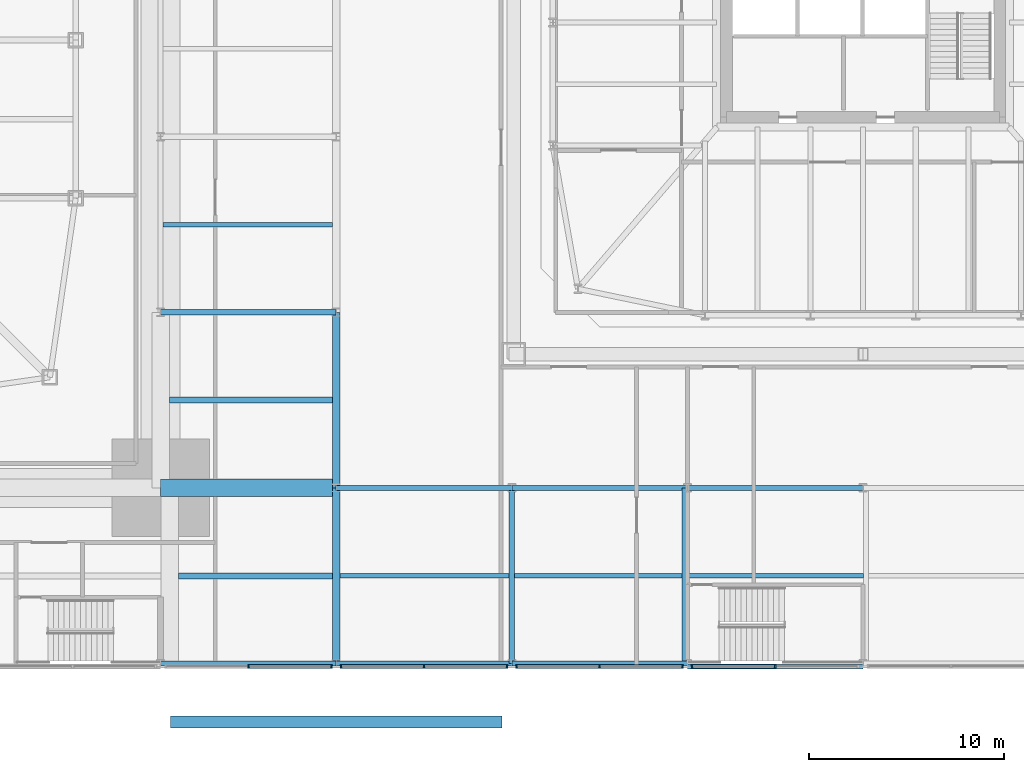
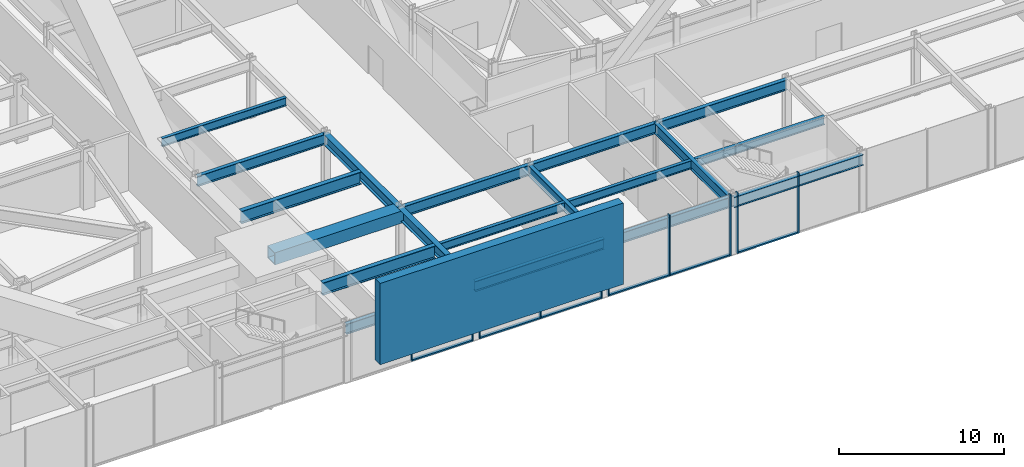
# One storey, part 10 of 32: 20 beams, 16 members, 4 elements without a shape of their own.
"""IFC4 building model written with IfcOpenShell, lengths in metres."""

from ifc_helpers import new_model, si_unit, direction, frame, origin, origin_2d, place, context, subcontext, project, spatial, rectangle, hollow_rectangle, i_section, extrude, material, material_profile, profile_set, type_object, element, aggregate, save


model = new_model("IFC4")

# Units and contexts
model_context = context("Model", 3, precision=1e-05, world=origin(), true_north=direction((0.0, 1.0)))
body_context = subcontext(model_context, "Body", "Model", "MODEL_VIEW")
ifc_project = project(units=[si_unit("LENGTHUNIT", "METRE"), si_unit("AREAUNIT", "SQUARE_METRE"), si_unit("VOLUMEUNIT", "CUBIC_METRE"), si_unit("PLANEANGLEUNIT", "RADIAN"), si_unit("MASSUNIT", "GRAM", prefix="KILO")], contexts=[model_context])

# Site, building, storey
site_placement = place(None, origin())
site = spatial("IfcSite", under=ifc_project, at=site_placement, CompositionType="ELEMENT")
building_placement = place(site_placement, origin())
building = spatial("IfcBuilding", under=site, at=building_placement, Name="Iwan Alto Co-Living Towers", CompositionType="ELEMENT")
storey_placement = place(building_placement, frame((0.0, 0.0, 6.0)))
storey = spatial("IfcBuildingStorey", under=building, at=storey_placement, Name="L01", CompositionType="ELEMENT", Elevation=6.0)

# Curtain wall, members
ifc_material_1 = material(Name="Bronze aluminium stick frame", Category="aluminium")
curtain_wall_type = type_object("IfcCurtainWallType", Name="CURTAIN WALL CW-E", PredefinedType="NOTDEFINED", material=ifc_material_1)
curtain_wall_1_placement = place(storey_placement, origin())
curtain_wall_1 = element("IfcCurtainWall", 1, at=curtain_wall_1_placement, inside=storey, type_object=curtain_wall_type, Name="Podium curtain wall S L01", PredefinedType="NOTDEFINED")
ifc_material_2 = material(Name="Aluminium 6063-T6 bronze anodised", Category="aluminium")
ifc_material_profile_1 = material_profile(ifc_material_2, rectangle(XDim=0.199951171875, YDim=0.080078125, at=origin_2d()), Name="AL 80X200")
ifc_profile_set_1 = profile_set([ifc_material_profile_1], Name="Aluminium 6063-T6 bronze anodised")
member_type_1 = type_object("IfcMemberType", Name="CW-E MULLION 80X200", PredefinedType="MULLION", material=ifc_profile_set_1)
member_1_placement = place(storey_placement, frame((31.5, -36.14990234375, 0.0), z_axis=(0.0, 0.0, 1.0), x_axis=(0.0, 1.0, 0.0)))
member_1 = element("IfcMember", 2, at=member_1_placement, type_object=member_type_1, Name="CW-E mullion 2", PredefinedType="MULLION", context=body_context, shape_type="SweptSolid", body=[
    extrude(rectangle(XDim=0.199951171875, YDim=0.080078125, at=origin_2d()), origin(), (0.0, 0.0, 1.0), 4.5),
])
member_2_placement = place(storey_placement, frame((35.754150390625, -36.14990234375, 0.0), z_axis=(0.0, 0.0, 1.0), x_axis=(0.0, 1.0, 0.0)))
member_2 = element("IfcMember", 3, at=member_2_placement, type_object=member_type_1, Name="CW-E mullion 3", PredefinedType="MULLION", context=body_context, shape_type="SweptSolid", body=[
    extrude(rectangle(XDim=0.199951171875, YDim=0.080078125, at=origin_2d()), origin(), (0.0, 0.0, 1.0), 4.5),
])

curtain_wall_2_placement = place(storey_placement, origin())
curtain_wall_2 = element("IfcCurtainWall", 4, at=curtain_wall_2_placement, inside=storey, type_object=curtain_wall_type, Name="Podium curtain wall S L01", PredefinedType="NOTDEFINED")
member_3_placement = place(storey_placement, frame((36.245849609375, -36.14990234375, 0.0), z_axis=(0.0, 0.0, 1.0), x_axis=(0.0, 1.0, 0.0)))
member_3 = element("IfcMember", 5, at=member_3_placement, type_object=member_type_1, Name="CW-E mullion 1", PredefinedType="MULLION", context=body_context, shape_type="SweptSolid", body=[
    extrude(rectangle(XDim=0.199951171875, YDim=0.080078125, at=origin_2d()), origin(), (0.0, 0.0, 1.0), 4.5),
])
member_4_placement = place(storey_placement, frame((40.5, -36.14990234375, 0.0), z_axis=(0.0, 0.0, 1.0), x_axis=(0.0, 1.0, 0.0)))
member_4 = element("IfcMember", 6, at=member_4_placement, type_object=member_type_1, Name="CW-E mullion 2", PredefinedType="MULLION", context=body_context, shape_type="SweptSolid", body=[
    extrude(rectangle(XDim=0.199951171875, YDim=0.080078125, at=origin_2d()), origin(), (0.0, 0.0, 1.0), 4.5),
])
member_5_placement = place(storey_placement, frame((44.754150390625, -36.14990234375, 0.0), z_axis=(0.0, 0.0, 1.0), x_axis=(0.0, 1.0, 0.0)))
member_5 = element("IfcMember", 7, at=member_5_placement, type_object=member_type_1, Name="CW-E mullion 3", PredefinedType="MULLION", context=body_context, shape_type="SweptSolid", body=[
    extrude(rectangle(XDim=0.199951171875, YDim=0.080078125, at=origin_2d()), origin(), (0.0, 0.0, 1.0), 4.5),
])

curtain_wall_3_placement = place(storey_placement, origin())
curtain_wall_3 = element("IfcCurtainWall", 8, at=curtain_wall_3_placement, inside=storey, type_object=curtain_wall_type, Name="Podium curtain wall S L01", PredefinedType="NOTDEFINED")
member_6_placement = place(storey_placement, frame((45.245849609375, -36.14990234375, 0.0), z_axis=(0.0, 0.0, 1.0), x_axis=(0.0, 1.0, 0.0)))
member_6 = element("IfcMember", 9, at=member_6_placement, type_object=member_type_1, Name="CW-E mullion 1", PredefinedType="MULLION", context=body_context, shape_type="SweptSolid", body=[
    extrude(rectangle(XDim=0.199951171875, YDim=0.080078125, at=origin_2d()), origin(), (0.0, 0.0, 1.0), 4.5),
])
member_7_placement = place(storey_placement, frame((49.5, -36.14990234375, 0.0), z_axis=(0.0, 0.0, 1.0), x_axis=(0.0, 1.0, 0.0)))
member_7 = element("IfcMember", 10, at=member_7_placement, type_object=member_type_1, Name="CW-E mullion 2", PredefinedType="MULLION", context=body_context, shape_type="SweptSolid", body=[
    extrude(rectangle(XDim=0.199951171875, YDim=0.080078125, at=origin_2d()), origin(), (0.0, 0.0, 1.0), 4.5),
])
member_8_placement = place(storey_placement, frame((53.754150390625, -36.14990234375, 0.0), z_axis=(0.0, 0.0, 1.0), x_axis=(0.0, 1.0, 0.0)))
member_8 = element("IfcMember", 11, at=member_8_placement, type_object=member_type_1, Name="CW-E mullion 3", PredefinedType="MULLION", context=body_context, shape_type="SweptSolid", body=[
    extrude(rectangle(XDim=0.199951171875, YDim=0.080078125, at=origin_2d()), origin(), (0.0, 0.0, 1.0), 4.5),
])

curtain_wall_4_placement = place(storey_placement, origin())
curtain_wall_4 = element("IfcCurtainWall", 12, at=curtain_wall_4_placement, inside=storey, type_object=curtain_wall_type, Name="Podium curtain wall S L01", PredefinedType="NOTDEFINED")
member_9_placement = place(storey_placement, frame((54.245849609375, -36.14990234375, 0.0), z_axis=(0.0, 0.0, 1.0), x_axis=(0.0, 1.0, 0.0)))
member_9 = element("IfcMember", 13, at=member_9_placement, type_object=member_type_1, Name="CW-E mullion 1", PredefinedType="MULLION", context=body_context, shape_type="SweptSolid", body=[
    extrude(rectangle(XDim=0.199951171875, YDim=0.080078125, at=origin_2d()), origin(), (0.0, 0.0, 1.0), 4.5),
])
member_10_placement = place(storey_placement, frame((58.5, -36.14990234375, 0.0), z_axis=(0.0, 0.0, 1.0), x_axis=(0.0, 1.0, 0.0)))
member_10 = element("IfcMember", 14, at=member_10_placement, type_object=member_type_1, Name="CW-E mullion 2", PredefinedType="MULLION", context=body_context, shape_type="SweptSolid", body=[
    extrude(rectangle(XDim=0.199951171875, YDim=0.080078125, at=origin_2d()), origin(), (0.0, 0.0, 1.0), 4.5),
])

# Member
ifc_material_3 = material(Name="Aluminium 6063-T6 bronze anodised", Category="aluminium")
ifc_material_profile_2 = material_profile(ifc_material_3, rectangle(XDim=0.199951171875, YDim=0.10009765625, at=origin_2d()), Name="AL 200X100")
ifc_profile_set_2 = profile_set([ifc_material_profile_2], Name="Aluminium 6063-T6 bronze anodised")
member_type_2 = type_object("IfcMemberType", Name="CW-E TRANSOM 200X100", PredefinedType="USERDEFINED", material=ifc_profile_set_2)
member_11_placement = place(storey_placement, frame((31.5400390625, -36.14990234375, 0.050048828125), z_axis=(1.0, 0.0, 0.0), x_axis=(0.0, 1.0, 0.0)))
member_11 = element("IfcMember", 15, at=member_11_placement, type_object=member_type_2, Name="CW-E transom 2.1", ObjectType="TRANSOM", PredefinedType="USERDEFINED", context=body_context, shape_type="SweptSolid", body=[
    extrude(rectangle(XDim=0.199951171875, YDim=0.10009765625, at=origin_2d()), origin(), (0.0, 0.0, 1.0), 4.17431640625),
])

aggregate(curtain_wall_1, [member_1, member_2, member_11])

member_12_placement = place(storey_placement, frame((36.28564453125, -36.14990234375, 0.050048828125), z_axis=(1.0, 0.0, 0.0), x_axis=(0.0, 1.0, 0.0)))
member_12 = element("IfcMember", 16, at=member_12_placement, type_object=member_type_2, Name="CW-E transom 1.1", ObjectType="TRANSOM", PredefinedType="USERDEFINED", context=body_context, shape_type="SweptSolid", body=[
    extrude(rectangle(XDim=0.199951171875, YDim=0.10009765625, at=origin_2d()), origin(), (0.0, 0.0, 1.0), 4.17431640625),
])

member_13_placement = place(storey_placement, frame((40.5400390625, -36.14990234375, 0.050048828125), z_axis=(1.0, 0.0, 0.0), x_axis=(0.0, 1.0, 0.0)))
member_13 = element("IfcMember", 17, at=member_13_placement, type_object=member_type_2, Name="CW-E transom 2.1", ObjectType="TRANSOM", PredefinedType="USERDEFINED", context=body_context, shape_type="SweptSolid", body=[
    extrude(rectangle(XDim=0.199951171875, YDim=0.10009765625, at=origin_2d()), origin(), (0.0, 0.0, 1.0), 4.17431640625),
])

aggregate(curtain_wall_2, [member_3, member_4, member_5, member_12, member_13])

member_14_placement = place(storey_placement, frame((45.28564453125, -36.14990234375, 0.050048828125), z_axis=(1.0, 0.0, 0.0), x_axis=(0.0, 1.0, 0.0)))
member_14 = element("IfcMember", 18, at=member_14_placement, type_object=member_type_2, Name="CW-E transom 1.1", ObjectType="TRANSOM", PredefinedType="USERDEFINED", context=body_context, shape_type="SweptSolid", body=[
    extrude(rectangle(XDim=0.199951171875, YDim=0.10009765625, at=origin_2d()), origin(), (0.0, 0.0, 1.0), 4.17431640625),
])

member_15_placement = place(storey_placement, frame((49.5400390625, -36.14990234375, 0.050048828125), z_axis=(1.0, 0.0, 0.0), x_axis=(0.0, 1.0, 0.0)))
member_15 = element("IfcMember", 19, at=member_15_placement, type_object=member_type_2, Name="CW-E transom 2.1", ObjectType="TRANSOM", PredefinedType="USERDEFINED", context=body_context, shape_type="SweptSolid", body=[
    extrude(rectangle(XDim=0.199951171875, YDim=0.10009765625, at=origin_2d()), origin(), (0.0, 0.0, 1.0), 4.17431640625),
])

aggregate(curtain_wall_3, [member_6, member_7, member_8, member_14, member_15])

member_16_placement = place(storey_placement, frame((54.28564453125, -36.14990234375, 0.050048828125), z_axis=(1.0, 0.0, 0.0), x_axis=(0.0, 1.0, 0.0)))
member_16 = element("IfcMember", 20, at=member_16_placement, type_object=member_type_2, Name="CW-E transom 1.1", ObjectType="TRANSOM", PredefinedType="USERDEFINED", context=body_context, shape_type="SweptSolid", body=[
    extrude(rectangle(XDim=0.199951171875, YDim=0.10009765625, at=origin_2d()), origin(), (0.0, 0.0, 1.0), 4.17431640625),
])

aggregate(curtain_wall_4, [member_9, member_10, member_16])

# Beams
ifc_material_4 = material(Name="Concrete f'c 35 MPa", Category="concrete")
ifc_material_profile_3 = material_profile(ifc_material_4, rectangle(XDim=0.60009765625, YDim=6.0, at=origin_2d()), Name="RC 600X6000")
ifc_material_5 = material(Name="Glazed fired clay brick facing", Category="masonry")
ifc_material_profile_4 = material_profile(ifc_material_5, rectangle(XDim=0.60009765625, YDim=6.0, at=origin_2d()), Name="Glazed brick facing", Category="Finish")
ifc_profile_set_3 = profile_set([ifc_material_profile_3, ifc_material_profile_4], Name="Concrete f'c 35 MPa")
beam_type_1 = type_object("IfcBeamType", Name="IWAN PORTAL HEAD BEAM 600X6000", PredefinedType="BEAM", material=ifc_profile_set_3)
beam_1_placement = place(storey_placement, frame((27.505615234375, -39.0, 6.0), z_axis=(1.0, 0.0, 0.0), x_axis=(0.0, 1.0, 0.0)))
element("IfcBeam", 21, at=beam_1_placement, inside=storey, type_object=beam_type_1, Name="Iwan portal head S", PredefinedType="BEAM", context=body_context, shape_type="SweptSolid", body=[
    extrude(rectangle(XDim=0.60009765625, YDim=6.0, at=origin_2d()), origin(), (0.0, 0.0, 1.0), 16.98876953125),
])
ifc_material_6 = material(Name="Steel ASTM A992 Gr 50", Category="steel")
ifc_material_profile_5 = material_profile(ifc_material_6, i_section(OverallWidth=0.2666015625, OverallDepth=0.76953125, WebThickness=0.015625, FlangeThickness=0.025390625, at=origin_2d()), Name="W30X132")
ifc_profile_set_4 = profile_set([ifc_material_profile_5], Name="Steel ASTM A992 Gr 50")
beam_type_2 = type_object("IfcBeamType", Name="PODIUM BEAM W30X132", PredefinedType="BEAM", material=ifc_profile_set_4)
for number, where, z_axis, x_axis, name in (
    (22, (27.0, -36.0, 3.865234375), (1.0, 0.0, 0.0), (0.0, 1.0, 0.0), "Podium beam 8/A-9/A L02"),
    (23, (27.0, -18.0, 3.865234375), (1.0, 0.0, 0.0), (0.0, 1.0, 0.0), "Podium beam 8/C-9/C L02"),
    (24, (36.0, -36.0, 3.865234375), (1.0, 0.0, 0.0), (0.0, 1.0, 0.0), "Podium beam 9/A-10/A L02"),
    (25, (36.0, -27.0, 3.865234375), (1.0, 0.0, 0.0), (0.0, 1.0, 0.0), "Podium beam 9/B-10/B L02"),
    (26, (45.0, -36.0, 3.865234375), (1.0, 0.0, 0.0), (0.0, 1.0, 0.0), "Podium beam 10/A-11/A L02"),
    (27, (45.0, -36.0, 3.865234375), (0.0, 1.0, 0.0), (-1.0, 0.0, 0.0), "Podium beam 10/A-10/B L02"),
    (28, (45.0, -27.0, 3.865234375), (1.0, 0.0, 0.0), (0.0, 1.0, 0.0), "Podium beam 10/B-11/B L02"),
    (29, (54.0, -36.1533203125, 3.865234375), (1.0, 0.0, 0.0), (0.0, 1.0, 0.0), "Podium beam 11/A-12/A L02"),
    (30, (53.8466796875, -36.0, 3.865234375), (0.0, 1.0, 0.0), (-1.0, 0.0, 0.0), "Podium beam 11/A-11/B L02"),
    (31, (54.0, -27.0, 3.865234375), (1.0, 0.0, 0.0), (0.0, 1.0, 0.0), "Podium beam 11/B-12/B L02"),
):
    element("IfcBeam", number, at=place(storey_placement, frame(where, z_axis=z_axis, x_axis=x_axis)), inside=storey, type_object=beam_type_2, Name=name, PredefinedType="BEAM", context=body_context, shape_type="SweptSolid", body=[
        extrude(i_section(OverallWidth=0.2666015625, OverallDepth=0.76953125, WebThickness=0.015625, FlangeThickness=0.025390625, at=origin_2d()), origin(), (0.0, 0.0, 1.0), 9.0),
    ])
ifc_material_7 = material(Name="Steel ASTM A992 Gr 50", Category="steel")
ifc_material_profile_6 = material_profile(ifc_material_7, i_section(OverallWidth=0.381103515625, OverallDepth=0.772216796875, WebThickness=0.0166015625, FlangeThickness=0.027099609375, at=origin_2d()), Name="W30X173")
ifc_profile_set_5 = profile_set([ifc_material_profile_6], Name="Steel ASTM A992 Gr 50")
beam_type_3 = type_object("IfcBeamType", Name="PODIUM JOINT BEAM W30X173", PredefinedType="BEAM", material=ifc_profile_set_5)
for number, where, z_axis, x_axis, name in (
    (32, (36.0, -36.0, 3.864013671875), (0.0, 1.0, 0.0), (-1.0, 0.0, 0.0), "Podium beam 9/A-9/B L02"),
    (33, (36.0, -27.0, 3.864013671875), (0.0, 1.0, 0.0), (-1.0, 0.0, 0.0), "Podium beam 9/B-9/C L02"),
):
    element("IfcBeam", number, at=place(storey_placement, frame(where, z_axis=z_axis, x_axis=x_axis)), inside=storey, type_object=beam_type_3, Name=name, PredefinedType="BEAM", context=body_context, shape_type="SweptSolid", body=[
        extrude(i_section(OverallWidth=0.381103515625, OverallDepth=0.772216796875, WebThickness=0.0166015625, FlangeThickness=0.027099609375, at=origin_2d()), origin(), (0.0, 0.0, 1.0), 9.0),
    ])
ifc_material_8 = material(Name="Steel ASTM A992 Gr 50", Category="steel")
ifc_material_profile_7 = material_profile(ifc_material_8, i_section(OverallWidth=0.307373046875, OverallDepth=0.927001953125, WebThickness=0.01953125, FlangeThickness=0.031982421875, at=origin_2d()), Name="W36X194")
ifc_profile_set_6 = profile_set([ifc_material_profile_7], Name="Steel ASTM A992 Gr 50")
beam_type_4 = type_object("IfcBeamType", Name="PODIUM PIER BAY SECONDARY BEAM W36X194", PredefinedType="JOIST", material=ifc_profile_set_6)
beam_2_placement = place(storey_placement, frame((27.919921875, -31.5, 3.786376953125), z_axis=(1.0, 0.0, 0.0), x_axis=(0.0, 1.0, 0.0)))
element("IfcBeam", 34, at=beam_2_placement, inside=storey, type_object=beam_type_4, Name="Podium secondary beam 8/A L02", PredefinedType="JOIST", context=body_context, shape_type="SweptSolid", body=[
    extrude(i_section(OverallWidth=0.307373046875, OverallDepth=0.927001953125, WebThickness=0.01953125, FlangeThickness=0.031982421875, at=origin_2d()), origin(), (0.0, 0.0, 1.0), 7.8896484375),
])
beam_3_placement = place(storey_placement, frame((27.449951171875, -22.5, 3.786376953125), z_axis=(1.0, 0.0, 0.0), x_axis=(0.0, 1.0, 0.0)))
element("IfcBeam", 35, at=beam_3_placement, inside=storey, type_object=beam_type_4, Name="Podium secondary beam 8/B L02", PredefinedType="JOIST", context=body_context, shape_type="SweptSolid", body=[
    extrude(i_section(OverallWidth=0.307373046875, OverallDepth=0.927001953125, WebThickness=0.01953125, FlangeThickness=0.031982421875, at=origin_2d()), origin(), (0.0, 0.0, 1.0), 8.359619140625),
])
ifc_material_9 = material(Name="Steel ASTM A572 Gr 50", Category="steel")
ifc_material_profile_8 = material_profile(ifc_material_9, hollow_rectangle(XDim=0.89990234375, YDim=0.89990234375, WallThickness=0.06005859375, at=origin_2d()), Name="BOX 900X900X60")
ifc_profile_set_7 = profile_set([ifc_material_profile_8], Name="Steel ASTM A572 Gr 50")
beam_type_5 = type_object("IfcBeamType", Name="PODIUM PIER BEAM BOX 900X900X60", PredefinedType="BEAM", material=ifc_profile_set_7)
beam_4_placement = place(storey_placement, frame((27.0, -27.0, 3.800048828125), z_axis=(1.0, 0.0, 0.0), x_axis=(0.0, 1.0, 0.0)))
element("IfcBeam", 36, at=beam_4_placement, inside=storey, type_object=beam_type_5, Name="Podium beam 8/B-9/B L02", PredefinedType="BEAM", context=body_context, shape_type="SweptSolid", body=[
    extrude(hollow_rectangle(XDim=0.89990234375, YDim=0.89990234375, WallThickness=0.06005859375, at=origin_2d()), origin(), (0.0, 0.0, 1.0), 9.0),
])
ifc_material_10 = material(Name="Steel ASTM A992 Gr 50", Category="steel")
ifc_material_profile_9 = material_profile(ifc_material_10, i_section(OverallWidth=0.23046875, OverallDepth=0.6171875, WebThickness=0.01318359375, FlangeThickness=0.022216796875, at=origin_2d()), Name="W24X94")
ifc_profile_set_8 = profile_set([ifc_material_profile_9], Name="Steel ASTM A992 Gr 50")
beam_type_6 = type_object("IfcBeamType", Name="PODIUM SECONDARY BEAM W24X94", PredefinedType="JOIST", material=ifc_profile_set_8)
for number, where, z_axis, x_axis, name in (
    (37, (27.13330078125, -13.5, 3.94140625), (1.0, 0.0, 0.0), (0.0, 1.0, 0.0), "Podium secondary beam 8/C L02"),
    (38, (36.1904296875, -31.5, 3.94140625), (1.0, 0.0, 0.0), (0.0, 1.0, 0.0), "Podium secondary beam 9/A L02"),
):
    element("IfcBeam", number, at=place(storey_placement, frame(where, z_axis=z_axis, x_axis=x_axis)), inside=storey, type_object=beam_type_6, Name=name, PredefinedType="JOIST", context=body_context, shape_type="SweptSolid", body=[
        extrude(i_section(OverallWidth=0.23046875, OverallDepth=0.6171875, WebThickness=0.01318359375, FlangeThickness=0.022216796875, at=origin_2d()), origin(), (0.0, 0.0, 1.0), 8.67626953125),
    ])
beam_5_placement = place(storey_placement, frame((45.13330078125, -31.5, 3.94140625), z_axis=(1.0, 0.0, 0.0), x_axis=(0.0, 1.0, 0.0)))
element("IfcBeam", 39, at=beam_5_placement, inside=storey, type_object=beam_type_6, Name="Podium secondary beam 10/A L02", PredefinedType="JOIST", context=body_context, shape_type="SweptSolid", body=[
    extrude(i_section(OverallWidth=0.23046875, OverallDepth=0.6171875, WebThickness=0.01318359375, FlangeThickness=0.022216796875, at=origin_2d()), origin(), (0.0, 0.0, 1.0), 8.580078125),
])
beam_6_placement = place(storey_placement, frame((53.97998046875, -31.5, 3.94140625), z_axis=(1.0, 0.0, 0.0), x_axis=(0.0, 1.0, 0.0)))
element("IfcBeam", 40, at=beam_6_placement, inside=storey, type_object=beam_type_6, Name="Podium secondary beam 11/A L02", PredefinedType="JOIST", context=body_context, shape_type="SweptSolid", body=[
    extrude(i_section(OverallWidth=0.23046875, OverallDepth=0.6171875, WebThickness=0.01318359375, FlangeThickness=0.022216796875, at=origin_2d()), origin(), (0.0, 0.0, 1.0), 9.0400390625),
])

save(model, "model.ifc")
